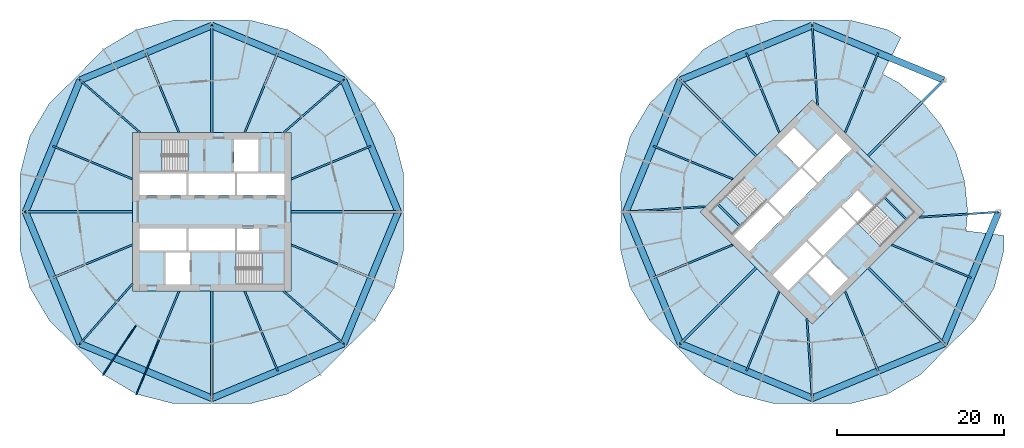
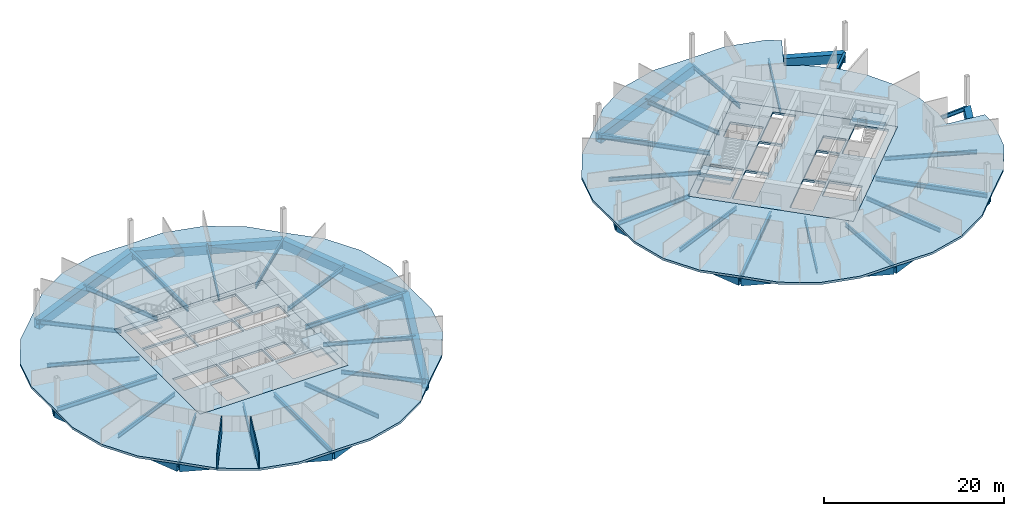
# One storey, part 3 of 10: 48 beams, 8 slabs, 2 walls, 4 elements without a shape of their own.
"""IFC4 building model written with IfcOpenShell, lengths in metres."""

from ifc_helpers import new_model, si_unit, direction, frame, frame_2d, origin, origin_2d, place, context, subcontext, project, spatial, polyline, rectangle, hollow_rectangle, i_section, outline, extrude, material, layer, layer_set, material_profile, profile_set, type_object, element, aggregate, save


model = new_model("IFC4")

# Units and contexts
model_context = context("Model", 3, precision=1e-05, world=origin(), true_north=direction((0.0, 1.0)))
body_context = subcontext(model_context, "Body", "Model", "MODEL_VIEW")
ifc_project = project(units=[si_unit("LENGTHUNIT", "METRE"), si_unit("AREAUNIT", "SQUARE_METRE"), si_unit("VOLUMEUNIT", "CUBIC_METRE"), si_unit("PLANEANGLEUNIT", "RADIAN"), si_unit("MASSUNIT", "GRAM", prefix="KILO")], contexts=[model_context])

# Site, building, storey
site_placement = place(None, origin())
site = spatial("IfcSite", under=ifc_project, at=site_placement, CompositionType="ELEMENT")
building_placement = place(site_placement, origin())
building = spatial("IfcBuilding", under=site, at=building_placement, Name="Ogive Gate Towers", CompositionType="ELEMENT")
storey_placement = place(building_placement, frame((0.0, 0.0, 126.89990234375)))
storey = spatial("IfcBuildingStorey", under=building, at=storey_placement, Name="L30", CompositionType="ELEMENT", Elevation=126.89990234375)

# Beams
ifc_material_1 = material(Name="Steel SM460", Category="steel")
ifc_material_profile_1 = material_profile(ifc_material_1, hollow_rectangle(XDim=0.800048828125, YDim=1.199951171875, WallThickness=0.050048828125, at=origin_2d()), Name="BX 1200x800x50")
ifc_profile_set_1 = profile_set([ifc_material_profile_1], Name="Steel SM460")
beam_type_1 = type_object("IfcBeamType", Name="Edge girder BX 1200x800x50", PredefinedType="BEAM", material=ifc_profile_set_1)
for number, where, z_axis, x_axis, name in (
    (1, (-51.803955078125, -15.803955078125, -0.89990234375), (0.923880978344, -0.382679941797, 0.0), (0.382679941797, 0.923880978344, 0.0), "T1/L30/SBM017"),
    (2, (-36.0, -22.35009765625, -0.89990234375), (0.923880978344, 0.382679941797, 0.0), (-0.382679941797, 0.923880978344, 0.0), "T1/L30/SBM018"),
    (3, (-20.196044921875, -15.803955078125, -0.89990234375), (0.382679941797, 0.923880978344, 0.0), (-0.923880978344, 0.382679941797, 0.0), "T1/L30/SBM019"),
    (4, (-13.64990234375, 0.0, -0.89990234375), (-0.382679941797, 0.923880978344, 0.0), (-0.923880978344, -0.382679941797, 0.0), "T1/L30/SBM020"),
    (5, (-20.196044921875, 15.803955078125, -0.89990234375), (-0.923880978344, 0.382679941797, 0.0), (-0.382679941797, -0.923880978344, 0.0), "T1/L30/SBM021"),
    (6, (-36.0, 22.35009765625, -0.89990234375), (-0.923880978344, -0.382679941797, 0.0), (0.382679941797, -0.923880978344, 0.0), "T1/L30/SBM022"),
    (7, (-51.803955078125, 15.803955078125, -0.89990234375), (-0.382679941797, -0.923880978344, 0.0), (0.923880978344, -0.382679941797, 0.0), "T1/L30/SBM023"),
    (8, (-58.35009765625, 0.0, -0.89990234375), (0.382679941797, -0.923880978344, 0.0), (0.923880978344, 0.382679941797, 0.0), "T1/L30/SBM024"),
    (9, (20.196044921875, -15.803955078125, -0.89990234375), (0.923880978344, -0.382679941797, 0.0), (0.382679941797, 0.923880978344, 0.0), "T2/L30/SBM016"),
    (10, (36.0, -22.35009765625, -0.89990234375), (0.923880978344, 0.382679941797, 0.0), (-0.382679941797, 0.923880978344, 0.0), "T2/L30/SBM017"),
    (11, (51.803955078125, -15.803955078125, -0.89990234375), (0.382679941797, 0.923880978344, 0.0), (-0.923880978344, 0.382679941797, 0.0), "T2/L30/SBM018"),
    (12, (51.803955078125, 15.803955078125, -0.89990234375), (-0.923880978344, 0.382679941797, 0.0), (-0.382679941797, -0.923880978344, 0.0), "T2/L30/SBM019"),
    (13, (36.0, 22.35009765625, -0.89990234375), (-0.923880978344, -0.382679941797, 0.0), (0.382679941797, -0.923880978344, 0.0), "T2/L30/SBM020"),
    (14, (20.196044921875, 15.803955078125, -0.89990234375), (-0.382679941797, -0.923880978344, 0.0), (0.923880978344, -0.382679941797, 0.0), "T2/L30/SBM021"),
    (15, (13.64990234375, 0.0, -0.89990234375), (0.382679941797, -0.923880978344, 0.0), (0.923880978344, 0.382679941797, 0.0), "T2/L30/SBM022"),
):
    element("IfcBeam", number, at=place(storey_placement, frame(where, z_axis=z_axis, x_axis=x_axis)), inside=storey, type_object=beam_type_1, Name=name, PredefinedType="BEAM", context=body_context, shape_type="SweptSolid", body=[
        extrude(hollow_rectangle(XDim=0.800048828125, YDim=1.199951171875, WallThickness=0.050048828125, at=origin_2d()), origin(), (0.0, 0.0, 1.0), 17.10595703125),
    ])
ifc_material_2 = material(Name="Concrete C40/50", Category="concrete")
ifc_material_profile_2 = material_profile(ifc_material_2, rectangle(XDim=0.25, YDim=0.300048828125, at=origin_2d()), Name="RC 250x300")
ifc_profile_set_2 = profile_set([ifc_material_profile_2], Name="Concrete C40/50")
beam_type_2 = type_object("IfcBeamType", Name="Landing bearer RC 250x300", PredefinedType="BEAM", material=ifc_profile_set_2)
for number, where, z_axis, x_axis, name in (
    (16, (24.650390625, 0.9541015625, 1.60009765625), (0.707106781187, -0.707106781187, 0.0), (0.707106781187, 0.707106781187, 0.0), "T2 L30 stair 1 landing bearer 1"),
    (17, (47.349609375, -0.9541015625, 1.60009765625), (-0.707106781187, 0.707106781187, 0.0), (-0.707106781187, -0.707106781187, 0.0), "T2 L30 stair 2 landing bearer 1"),
):
    element("IfcBeam", number, at=place(storey_placement, frame(where, z_axis=z_axis, x_axis=x_axis)), inside=storey, type_object=beam_type_2, Name=name, PredefinedType="BEAM", context=body_context, shape_type="SweptSolid", body=[
        extrude(rectangle(XDim=0.25, YDim=0.300048828125, at=origin_2d()), origin(), (0.0, 0.0, 1.0), 3.824951171875),
    ])
ifc_material_3 = material(Name="Steel SM355", Category="steel")
ifc_material_profile_3 = material_profile(ifc_material_3, i_section(OverallWidth=0.300048828125, OverallDepth=0.590087890625, WebThickness=0.012939453125, FlangeThickness=0.02490234375, FilletRadius=0.027099609375, at=origin_2d()), Name="HE 600 A")
ifc_profile_set_3 = profile_set([ifc_material_profile_3], Name="Steel SM355")
beam_type_3 = type_object("IfcBeamType", Name="Radial floor beam HE 600 A", PredefinedType="BEAM", material=ifc_profile_set_3)
for number, where, z_axis, x_axis, name in (
    (18, (-36.0, -9.5, -0.594970703125), (0.0, -1.0, 0.0), (1.0, 0.0, 0.0), "T1/L30/SBM003"),
    (19, (-26.5, 0.0, -0.594970703125), (1.0, 0.0, 0.0), (0.0, 1.0, 0.0), "T1/L30/SBM007"),
    (20, (-36.0, 9.5, -0.594970703125), (0.0, 1.0, 0.0), (-1.0, 0.0, 0.0), "T1/L30/SBM011"),
    (21, (-45.5, 0.0, -0.594970703125), (-1.0, 0.0, 0.0), (0.0, -1.0, 0.0), "T1/L30/SBM015"),
    (22, (29.282470703125, -6.717529296875, -0.594970703125), (-0.707106781187, -0.707106781187, 0.0), (0.707106781187, -0.707106781187, 0.0), "T2/L30/SBM001"),
    (23, (42.717529296875, -6.717529296875, -0.594970703125), (0.707106781187, -0.707106781187, 0.0), (0.707106781187, 0.707106781187, 0.0), "T2/L30/SBM005"),
    (24, (42.717529296875, 6.717529296875, -0.594970703125), (0.707106781187, 0.707106781187, 0.0), (-0.707106781187, 0.707106781187, 0.0), "T2/L30/SBM008"),
    (25, (29.282470703125, 6.717529296875, -0.594970703125), (-0.707106781187, 0.707106781187, 0.0), (-0.707106781187, -0.707106781187, 0.0), "T2/L30/SBM012"),
):
    element("IfcBeam", number, at=place(storey_placement, frame(where, z_axis=z_axis, x_axis=x_axis)), inside=storey, type_object=beam_type_3, Name=name, PredefinedType="BEAM", context=body_context, shape_type="SweptSolid", body=[
        extrude(i_section(OverallWidth=0.300048828125, OverallDepth=0.590087890625, WebThickness=0.012939453125, FlangeThickness=0.02490234375, FilletRadius=0.027099609375, at=origin_2d()), origin(), (0.0, 0.0, 1.0), 12.85009765625),
    ])
ifc_material_profile_4 = material_profile(ifc_material_3, i_section(OverallWidth=0.2099609375, OverallDepth=0.550048828125, WebThickness=0.010986328125, FlangeThickness=0.01708984375, FilletRadius=0.02392578125, at=origin_2d()), Name="IPE 550")
ifc_profile_set_4 = profile_set([ifc_material_profile_4], Name="Steel SM355")
beam_type_4 = type_object("IfcBeamType", Name="Radial floor beam IPE 550", PredefinedType="BEAM", material=ifc_profile_set_4)
beam_1_placement = place(storey_placement, frame((-45.5, -8.60009765625, -0.574951171875), z_axis=(-0.658538913457, -0.752546675937, 0.0), x_axis=(0.752546675937, -0.658538913457, 0.0)))
element("IfcBeam", 26, at=beam_1_placement, inside=storey, type_object=beam_type_4, Name="T1/L30/SBM001", PredefinedType="BEAM", context=body_context, shape_type="SweptSolid", body=[
    extrude(i_section(OverallWidth=0.2099609375, OverallDepth=0.550048828125, WebThickness=0.010986328125, FlangeThickness=0.01708984375, FilletRadius=0.02392578125, at=origin_2d()), origin(), (0.0, 0.0, 1.0), 9.57275390625),
])
for number, where, z_axis, x_axis, name in (
    (27, (-39.93505859375, -9.5, -0.574951171875), (-0.382676287498, -0.92388249198, 0.0), (0.92388249198, -0.382676287498, 0.0), "T1/L30/SBM002"),
    (28, (-32.06494140625, -9.5, -0.574951171875), (0.382676287498, -0.92388249198, 0.0), (0.92388249198, 0.382676287498, 0.0), "T1/L30/SBM004"),
):
    element("IfcBeam", number, at=place(storey_placement, frame(where, z_axis=z_axis, x_axis=x_axis)), inside=storey, type_object=beam_type_4, Name=name, PredefinedType="BEAM", context=body_context, shape_type="SweptSolid", body=[
        extrude(i_section(OverallWidth=0.2099609375, OverallDepth=0.550048828125, WebThickness=0.010986328125, FlangeThickness=0.01708984375, FilletRadius=0.02392578125, at=origin_2d()), origin(), (0.0, 0.0, 1.0), 10.365966796875),
    ])
beam_2_placement = place(storey_placement, frame((-27.39990234375, -9.5, -0.574951171875), z_axis=(0.752546675937, -0.658538913457, 0.0), x_axis=(0.658538913457, 0.752546675937, 0.0)))
element("IfcBeam", 29, at=beam_2_placement, inside=storey, type_object=beam_type_4, Name="T1/L30/SBM005", PredefinedType="BEAM", context=body_context, shape_type="SweptSolid", body=[
    extrude(i_section(OverallWidth=0.2099609375, OverallDepth=0.550048828125, WebThickness=0.010986328125, FlangeThickness=0.01708984375, FilletRadius=0.02392578125, at=origin_2d()), origin(), (0.0, 0.0, 1.0), 9.57275390625),
])
for number, where, z_axis, x_axis, name in (
    (30, (-26.5, -3.93505859375, -0.574951171875), (0.92388249198, -0.382676287498, 0.0), (0.382676287498, 0.92388249198, 0.0), "T1/L30/SBM006"),
    (31, (-26.5, 3.93505859375, -0.574951171875), (0.92388249198, 0.382676287498, 0.0), (-0.382676287498, 0.92388249198, 0.0), "T1/L30/SBM008"),
):
    element("IfcBeam", number, at=place(storey_placement, frame(where, z_axis=z_axis, x_axis=x_axis)), inside=storey, type_object=beam_type_4, Name=name, PredefinedType="BEAM", context=body_context, shape_type="SweptSolid", body=[
        extrude(i_section(OverallWidth=0.2099609375, OverallDepth=0.550048828125, WebThickness=0.010986328125, FlangeThickness=0.01708984375, FilletRadius=0.02392578125, at=origin_2d()), origin(), (0.0, 0.0, 1.0), 10.365966796875),
    ])
beam_3_placement = place(storey_placement, frame((-27.39990234375, 9.5, -0.574951171875), z_axis=(0.752546675937, 0.658538913457, 0.0), x_axis=(-0.658538913457, 0.752546675937, 0.0)))
element("IfcBeam", 32, at=beam_3_placement, inside=storey, type_object=beam_type_4, Name="T1/L30/SBM009", PredefinedType="BEAM", context=body_context, shape_type="SweptSolid", body=[
    extrude(i_section(OverallWidth=0.2099609375, OverallDepth=0.550048828125, WebThickness=0.010986328125, FlangeThickness=0.01708984375, FilletRadius=0.02392578125, at=origin_2d()), origin(), (0.0, 0.0, 1.0), 9.57275390625),
])
for number, where, z_axis, x_axis, name in (
    (33, (-32.06494140625, 9.5, -0.574951171875), (0.382676287498, 0.92388249198, 0.0), (-0.92388249198, 0.382676287498, 0.0), "T1/L30/SBM010"),
    (34, (-39.93505859375, 9.5, -0.574951171875), (-0.382676287498, 0.92388249198, 0.0), (-0.92388249198, -0.382676287498, 0.0), "T1/L30/SBM012"),
):
    element("IfcBeam", number, at=place(storey_placement, frame(where, z_axis=z_axis, x_axis=x_axis)), inside=storey, type_object=beam_type_4, Name=name, PredefinedType="BEAM", context=body_context, shape_type="SweptSolid", body=[
        extrude(i_section(OverallWidth=0.2099609375, OverallDepth=0.550048828125, WebThickness=0.010986328125, FlangeThickness=0.01708984375, FilletRadius=0.02392578125, at=origin_2d()), origin(), (0.0, 0.0, 1.0), 10.365966796875),
    ])
beam_4_placement = place(storey_placement, frame((-44.60009765625, 9.5, -0.574951171875), z_axis=(-0.752546675937, 0.658538913457, 0.0), x_axis=(-0.658538913457, -0.752546675937, 0.0)))
element("IfcBeam", 35, at=beam_4_placement, inside=storey, type_object=beam_type_4, Name="T1/L30/SBM013", PredefinedType="BEAM", context=body_context, shape_type="SweptSolid", body=[
    extrude(i_section(OverallWidth=0.2099609375, OverallDepth=0.550048828125, WebThickness=0.010986328125, FlangeThickness=0.01708984375, FilletRadius=0.02392578125, at=origin_2d()), origin(), (0.0, 0.0, 1.0), 9.57275390625),
])
for number, where, z_axis, x_axis, name in (
    (36, (-45.5, 3.93505859375, -0.574951171875), (-0.92388249198, 0.382676287498, 0.0), (-0.382676287498, -0.92388249198, 0.0), "T1/L30/SBM014"),
    (37, (-45.5, -3.93505859375, -0.574951171875), (-0.92388249198, -0.382676287498, 0.0), (0.382676287498, -0.92388249198, 0.0), "T1/L30/SBM016"),
    (38, (32.06494140625, -9.5, -0.574951171875), (-0.382676287498, -0.92388249198, 0.0), (0.92388249198, -0.382676287498, 0.0), "T2/L30/SBM002"),
):
    element("IfcBeam", number, at=place(storey_placement, frame(where, z_axis=z_axis, x_axis=x_axis)), inside=storey, type_object=beam_type_4, Name=name, PredefinedType="BEAM", context=body_context, shape_type="SweptSolid", body=[
        extrude(i_section(OverallWidth=0.2099609375, OverallDepth=0.550048828125, WebThickness=0.010986328125, FlangeThickness=0.01708984375, FilletRadius=0.02392578125, at=origin_2d()), origin(), (0.0, 0.0, 1.0), 10.365966796875),
    ])
beam_5_placement = place(storey_placement, frame((35.363525390625, -12.798583984375, -0.574951171875), z_axis=(0.066488541289, -0.997787188672, 0.0), x_axis=(0.997787188672, 0.066488541289, 0.0)))
element("IfcBeam", 39, at=beam_5_placement, inside=storey, type_object=beam_type_4, Name="T2/L30/SBM003", PredefinedType="BEAM", context=body_context, shape_type="SweptSolid", body=[
    extrude(i_section(OverallWidth=0.2099609375, OverallDepth=0.550048828125, WebThickness=0.010986328125, FlangeThickness=0.01708984375, FilletRadius=0.02392578125, at=origin_2d()), origin(), (0.0, 0.0, 1.0), 9.57275390625),
])
for number, where, z_axis, x_axis, name in (
    (40, (39.93505859375, -9.5, -0.574951171875), (0.382676287498, -0.92388249198, 0.0), (0.92388249198, 0.382676287498, 0.0), "T2/L30/SBM004"),
    (41, (45.5, -3.93505859375, -0.574951171875), (0.92388249198, -0.382676287498, 0.0), (0.382676287498, 0.92388249198, 0.0), "T2/L30/SBM006"),
):
    element("IfcBeam", number, at=place(storey_placement, frame(where, z_axis=z_axis, x_axis=x_axis)), inside=storey, type_object=beam_type_4, Name=name, PredefinedType="BEAM", context=body_context, shape_type="SweptSolid", body=[
        extrude(i_section(OverallWidth=0.2099609375, OverallDepth=0.550048828125, WebThickness=0.010986328125, FlangeThickness=0.01708984375, FilletRadius=0.02392578125, at=origin_2d()), origin(), (0.0, 0.0, 1.0), 10.365966796875),
    ])
beam_6_placement = place(storey_placement, frame((48.798583984375, -0.636474609375, -0.574951171875), z_axis=(0.997787188672, 0.066488541289, 0.0), x_axis=(-0.066488541289, 0.997787188672, 0.0)))
element("IfcBeam", 42, at=beam_6_placement, inside=storey, type_object=beam_type_4, Name="T2/L30/SBM007", PredefinedType="BEAM", context=body_context, shape_type="SweptSolid", body=[
    extrude(i_section(OverallWidth=0.2099609375, OverallDepth=0.550048828125, WebThickness=0.010986328125, FlangeThickness=0.01708984375, FilletRadius=0.02392578125, at=origin_2d()), origin(), (0.0, 0.0, 1.0), 9.57275390625),
])
beam_7_placement = place(storey_placement, frame((39.93505859375, 9.5, -0.574951171875), z_axis=(0.382676287498, 0.92388249198, 0.0), x_axis=(-0.92388249198, 0.382676287498, 0.0)))
element("IfcBeam", 43, at=beam_7_placement, inside=storey, type_object=beam_type_4, Name="T2/L30/SBM009", PredefinedType="BEAM", context=body_context, shape_type="SweptSolid", body=[
    extrude(i_section(OverallWidth=0.2099609375, OverallDepth=0.550048828125, WebThickness=0.010986328125, FlangeThickness=0.01708984375, FilletRadius=0.02392578125, at=origin_2d()), origin(), (0.0, 0.0, 1.0), 10.365966796875),
])
beam_8_placement = place(storey_placement, frame((36.636474609375, 12.798583984375, -0.574951171875), z_axis=(-0.066488541289, 0.997787188672, 0.0), x_axis=(-0.997787188672, -0.066488541289, 0.0)))
element("IfcBeam", 44, at=beam_8_placement, inside=storey, type_object=beam_type_4, Name="T2/L30/SBM010", PredefinedType="BEAM", context=body_context, shape_type="SweptSolid", body=[
    extrude(i_section(OverallWidth=0.2099609375, OverallDepth=0.550048828125, WebThickness=0.010986328125, FlangeThickness=0.01708984375, FilletRadius=0.02392578125, at=origin_2d()), origin(), (0.0, 0.0, 1.0), 9.57275390625),
])
for number, where, z_axis, x_axis, name in (
    (45, (32.06494140625, 9.5, -0.574951171875), (-0.382676287498, 0.92388249198, 0.0), (-0.92388249198, -0.382676287498, 0.0), "T2/L30/SBM011"),
    (46, (26.5, 3.93505859375, -0.574951171875), (-0.92388249198, 0.382676287498, 0.0), (-0.382676287498, -0.92388249198, 0.0), "T2/L30/SBM013"),
):
    element("IfcBeam", number, at=place(storey_placement, frame(where, z_axis=z_axis, x_axis=x_axis)), inside=storey, type_object=beam_type_4, Name=name, PredefinedType="BEAM", context=body_context, shape_type="SweptSolid", body=[
        extrude(i_section(OverallWidth=0.2099609375, OverallDepth=0.550048828125, WebThickness=0.010986328125, FlangeThickness=0.01708984375, FilletRadius=0.02392578125, at=origin_2d()), origin(), (0.0, 0.0, 1.0), 10.365966796875),
    ])
beam_9_placement = place(storey_placement, frame((23.201416015625, 0.636474609375, -0.574951171875), z_axis=(-0.997787188672, -0.066488541289, 0.0), x_axis=(0.066488541289, -0.997787188672, 0.0)))
element("IfcBeam", 47, at=beam_9_placement, inside=storey, type_object=beam_type_4, Name="T2/L30/SBM014", PredefinedType="BEAM", context=body_context, shape_type="SweptSolid", body=[
    extrude(i_section(OverallWidth=0.2099609375, OverallDepth=0.550048828125, WebThickness=0.010986328125, FlangeThickness=0.01708984375, FilletRadius=0.02392578125, at=origin_2d()), origin(), (0.0, 0.0, 1.0), 9.57275390625),
])
beam_10_placement = place(storey_placement, frame((26.5, -3.93505859375, -0.574951171875), z_axis=(-0.92388249198, -0.382676287498, 0.0), x_axis=(0.382676287498, -0.92388249198, 0.0)))
element("IfcBeam", 48, at=beam_10_placement, inside=storey, type_object=beam_type_4, Name="T2/L30/SBM015", PredefinedType="BEAM", context=body_context, shape_type="SweptSolid", body=[
    extrude(i_section(OverallWidth=0.2099609375, OverallDepth=0.550048828125, WebThickness=0.010986328125, FlangeThickness=0.01708984375, FilletRadius=0.02392578125, at=origin_2d()), origin(), (0.0, 0.0, 1.0), 10.365966796875),
])

# Slabs
ifc_layer_1 = layer(ifc_material_2, 0.300048828125)
ifc_layer_set_1 = layer_set([ifc_layer_1], Name="Core slab C40/50 300 mm")
slab_type_1 = type_object("IfcSlabType", Name="Core slab C40/50 300 mm", PredefinedType="FLOOR", material=ifc_layer_set_1)
slab_1_placement = place(storey_placement, frame((0.0, 0.0, -0.2998046875)))
element("IfcSlab", 49, at=slab_1_placement, inside=storey, type_object=slab_type_1, Name="T1 L30 core slab", PredefinedType="FLOOR", context=body_context, shape_type="SweptSolid", body=[
    extrude(outline(polyline([(-26.5, 9.5), (-26.5, -9.5), (-45.5, -9.5), (-45.5, 9.5), (-26.5, 9.5)]), holes=[polyline([(-39.02490234375, 4.625), (-44.699951171875, 4.625), (-44.699951171875, 2.0), (-39.02490234375, 2.0), (-39.02490234375, 4.625)]), polyline([(-33.22509765625, 2.0), (-33.22509765625, 4.625), (-38.77490234375, 4.625), (-38.77490234375, 2.0), (-33.22509765625, 2.0)]), polyline([(-32.97509765625, 2.0), (-27.300048828125, 2.0), (-27.300048828125, 4.625), (-32.97509765625, 4.625), (-32.97509765625, 2.0)]), polyline([(-44.699951171875, -2.0), (-44.699951171875, -4.625), (-39.02490234375, -4.625), (-39.02490234375, -2.0), (-44.699951171875, -2.0)]), polyline([(-33.22509765625, -2.0), (-38.77490234375, -2.0), (-38.77490234375, -4.625), (-33.22509765625, -4.625), (-33.22509765625, -2.0)]), polyline([(-30.324951171875, -4.625), (-30.324951171875, -2.0), (-32.97509765625, -2.0), (-32.97509765625, -4.625), (-30.324951171875, -4.625)]), polyline([(-33.375, 4.875), (-30.425048828125, 4.875), (-30.425048828125, 8.699951171875), (-33.375, 8.699951171875), (-33.375, 4.875)]), polyline([(-41.574951171875, -4.875), (-41.574951171875, -8.699951171875), (-38.625, -8.699951171875), (-38.625, -4.875), (-41.574951171875, -4.875)]), polyline([(-44.699951171875, 4.875), (-38.885009765625, 4.875), (-38.885009765625, 8.699951171875), (-44.699951171875, 8.699951171875), (-44.699951171875, 4.875)]), polyline([(-27.300048828125, -8.699951171875), (-27.300048828125, -4.875), (-33.114990234375, -4.875), (-33.114990234375, -8.699951171875), (-27.300048828125, -8.699951171875)])]), origin(), (0.0, 0.0, 1.0), 0.2998046875),
])
slab_2_placement = place(storey_placement, frame((0.0, 0.0, -0.2998046875)))
element("IfcSlab", 50, at=slab_2_placement, inside=storey, type_object=slab_type_1, Name="T2 L30 core slab", PredefinedType="FLOOR", context=body_context, shape_type="SweptSolid", body=[
    extrude(outline(polyline([(36.0, 13.43505859375), (49.43505859375, 0.0), (36.0, -13.43505859375), (22.56494140625, 0.0), (36.0, 13.43505859375)]), holes=[polyline([(30.590576171875, 1.13134765625), (26.577880859375, -2.881591796875), (28.43408203125, -4.737548828125), (32.44677734375, -0.724853515625), (30.590576171875, 1.13134765625)]), polyline([(36.548095703125, 3.37646484375), (34.69189453125, 5.232666015625), (30.767333984375, 1.30810546875), (32.62353515625, -0.548095703125), (36.548095703125, 3.37646484375)]), polyline([(36.724853515625, 3.55322265625), (40.737548828125, 7.56591796875), (38.881591796875, 9.422119140625), (34.86865234375, 5.409423828125), (36.724853515625, 3.55322265625)]), polyline([(31.262451171875, -7.56591796875), (33.118408203125, -9.422119140625), (37.13134765625, -5.409423828125), (35.275146484375, -3.55322265625), (31.262451171875, -7.56591796875)]), polyline([(39.37646484375, 0.548095703125), (35.451904296875, -3.37646484375), (37.30810546875, -5.232666015625), (41.232666015625, -1.30810546875), (39.37646484375, 0.548095703125)]), polyline([(43.283203125, 0.742431640625), (41.427001953125, 2.5986328125), (39.55322265625, 0.724853515625), (41.409423828125, -1.13134765625), (43.283203125, 0.742431640625)]), polyline([(34.408935546875, 5.30322265625), (36.4951171875, 7.389404296875), (33.790283203125, 10.093994140625), (31.704345703125, 8.008056640625), (34.408935546875, 5.30322265625)]), polyline([(35.5048828125, -7.389404296875), (38.209716796875, -10.093994140625), (40.295654296875, -8.008056640625), (37.591064453125, -5.30322265625), (35.5048828125, -7.389404296875)]), polyline([(26.40087890625, -2.70458984375), (30.512939453125, 1.406982421875), (27.80810546875, 4.11181640625), (23.6962890625, 0.0), (26.40087890625, -2.70458984375)]), polyline([(48.3037109375, 0.0), (45.59912109375, 2.70458984375), (41.487060546875, -1.406982421875), (44.19189453125, -4.11181640625), (48.3037109375, 0.0)])]), origin(), (0.0, 0.0, 1.0), 0.2998046875),
])
ifc_material_4 = material(Name="Concrete C35/45", Category="concrete")
ifc_layer_2 = layer(ifc_material_4, 0.300048828125)
ifc_layer_set_2 = layer_set([ifc_layer_2], Name="Floor slab 300")
slab_type_2 = type_object("IfcSlabType", Name="Floor slab 300", PredefinedType="FLOOR", material=ifc_layer_set_2)
slab_3_placement = place(storey_placement, frame((0.0, 0.0, -0.2998046875)))
element("IfcSlab", 51, at=slab_3_placement, inside=storey, type_object=slab_type_2, Name="T1/L30/SSL001", PredefinedType="FLOOR", context=body_context, shape_type="SweptSolid", body=[
    extrude(outline(polyline([(-13.00048828125, -4.574951171875), (-13.050048828125, 0.0), (-13.00048828125, 4.574951171875), (-14.150146484375, 9.050537109375), (-16.501953125, 13.028076171875), (-19.77197265625, 16.22802734375), (-22.971923828125, 19.498046875), (-26.949462890625, 21.849853515625), (-31.425048828125, 22.99951171875), (-36.0, 22.949951171875), (-40.574951171875, 22.99951171875), (-45.050537109375, 21.849853515625), (-49.028076171875, 19.498046875), (-52.22802734375, 16.22802734375), (-55.498046875, 13.028076171875), (-57.849853515625, 9.050537109375), (-58.99951171875, 4.574951171875), (-58.949951171875, 0.0), (-58.99951171875, -4.574951171875), (-57.849853515625, -9.050537109375), (-55.498046875, -13.028076171875), (-52.22802734375, -16.22802734375), (-49.028076171875, -19.498046875), (-45.050537109375, -21.849853515625), (-40.574951171875, -22.99951171875), (-36.0, -22.949951171875), (-31.425048828125, -22.99951171875), (-26.949462890625, -21.849853515625), (-22.971923828125, -19.498046875), (-19.77197265625, -16.22802734375), (-16.501953125, -13.028076171875), (-14.150146484375, -9.050537109375), (-13.00048828125, -4.574951171875)]), holes=[polyline([(-26.5, -9.5), (-45.5, -9.5), (-45.5, 9.5), (-26.5, 9.5), (-26.5, -9.5)])]), origin(), (0.0, 0.0, 1.0), 0.2998046875),
])
slab_4_placement = place(storey_placement, frame((0.0, 0.0, -0.2998046875)))
element("IfcSlab", 52, at=slab_4_placement, inside=storey, type_object=slab_type_2, Name="T2/L30/SSL001", PredefinedType="FLOOR", context=body_context, shape_type="SweptSolid", body=[
    extrude(outline(polyline([(57.849853515625, -9.050537109375), (58.99951171875, -4.574951171875), (58.98046875, -2.821533203125), (54.42724609375, -2.262451171875), (54.64990234375, 0.0), (54.291748046875, 3.638427734375), (53.23046875, 7.136962890625), (51.5068359375, 10.361328125), (49.1875, 13.1875), (46.361328125, 15.5068359375), (44.427734375, 16.54052734375), (46.65087890625, 20.903564453125), (45.050537109375, 21.849853515625), (40.574951171875, 22.99951171875), (36.0, 22.949951171875), (31.425048828125, 22.99951171875), (26.949462890625, 21.849853515625), (22.971923828125, 19.498046875), (19.77197265625, 16.22802734375), (16.501953125, 13.028076171875), (14.150146484375, 9.050537109375), (13.00048828125, 4.574951171875), (13.050048828125, 0.0), (13.00048828125, -4.574951171875), (14.150146484375, -9.050537109375), (16.501953125, -13.028076171875), (19.77197265625, -16.22802734375), (22.971923828125, -19.498046875), (26.949462890625, -21.849853515625), (31.425048828125, -22.99951171875), (36.0, -22.949951171875), (40.574951171875, -22.99951171875), (45.050537109375, -21.849853515625), (49.028076171875, -19.498046875), (52.22802734375, -16.22802734375), (55.498046875, -13.028076171875), (57.849853515625, -9.050537109375)]), holes=[polyline([(49.43505859375, 0.0), (36.0, -13.43505859375), (22.56494140625, 0.0), (36.0, 13.43505859375), (49.43505859375, 0.0)])]), origin(), (0.0, 0.0, 1.0), 0.2998046875),
])

# Stair, slab
stair_type = type_object("IfcStairType", Name="Escape stair 1840 wide", PredefinedType="HALF_TURN_STAIR", material=ifc_material_2)
stair_1_placement = place(storey_placement, origin())
stair_1 = element("IfcStair", 53, at=stair_1_placement, inside=storey, type_object=stair_type, Name="L30 Escape stair 1", PredefinedType="HALF_TURN_STAIR")
ifc_layer_3 = layer(ifc_material_2, 0.199951171875)
ifc_layer_set_3 = layer_set([ifc_layer_3], Name="Stair landing 200 mm")
slab_type_3 = type_object("IfcSlabType", Name="Stair landing 200 mm", PredefinedType="LANDING", material=ifc_layer_set_3)
slab_5_placement = place(storey_placement, frame((0.0, 0.0, 1.75)))
slab_5 = element("IfcSlab", 54, at=slab_5_placement, type_object=slab_type_3, Name="ST1 landing 1", PredefinedType="LANDING", context=body_context, shape_type="SweptSolid", body=[
    extrude(outline(polyline([(-42.00146484375, 8.699951171875), (-44.699951171875, 8.699951171875), (-44.699951171875, 4.875), (-42.00146484375, 4.875), (-42.00146484375, 8.699951171875)])), origin(), (0.0, 0.0, 1.0), 0.2001953125),
])
aggregate(stair_1, [slab_5])

stair_2_placement = place(storey_placement, origin())
stair_2 = element("IfcStair", 55, at=stair_2_placement, inside=storey, type_object=stair_type, Name="L30 Escape stair 2", PredefinedType="HALF_TURN_STAIR")
slab_6_placement = place(storey_placement, frame((0.0, 0.0, 1.75)))
slab_6 = element("IfcSlab", 56, at=slab_6_placement, type_object=slab_type_3, Name="ST2 landing 1", PredefinedType="LANDING", context=body_context, shape_type="SweptSolid", body=[
    extrude(outline(polyline([(-29.99853515625, -8.699951171875), (-27.300048828125, -8.699951171875), (-27.300048828125, -4.875), (-29.99853515625, -4.875), (-29.99853515625, -8.699951171875)])), origin(), (0.0, 0.0, 1.0), 0.2001953125),
])
aggregate(stair_2, [slab_6])

stair_3_placement = place(storey_placement, origin())
stair_3 = element("IfcStair", 57, at=stair_3_placement, inside=storey, type_object=stair_type, Name="L30 Escape stair 1", PredefinedType="HALF_TURN_STAIR")
slab_7_placement = place(storey_placement, frame((0.0, 0.0, 1.75)))
slab_7 = element("IfcSlab", 58, at=slab_7_placement, type_object=slab_type_3, Name="ST1 landing 1", PredefinedType="LANDING", context=body_context, shape_type="SweptSolid", body=[
    extrude(outline(polyline([(25.6044921875, 1.908203125), (23.6962890625, 0.0), (26.401123046875, -2.70458984375), (28.309326171875, -0.79638671875), (25.6044921875, 1.908203125)])), origin(), (0.0, 0.0, 1.0), 0.2001953125),
])
aggregate(stair_3, [slab_7])

stair_4_placement = place(storey_placement, origin())
stair_4 = element("IfcStair", 59, at=stair_4_placement, inside=storey, type_object=stair_type, Name="L30 Escape stair 2", PredefinedType="HALF_TURN_STAIR")
slab_8_placement = place(storey_placement, frame((0.0, 0.0, 1.75)))
slab_8 = element("IfcSlab", 60, at=slab_8_placement, type_object=slab_type_3, Name="ST2 landing 1", PredefinedType="LANDING", context=body_context, shape_type="SweptSolid", body=[
    extrude(outline(polyline([(46.3955078125, -1.908203125), (48.3037109375, 0.0), (45.598876953125, 2.70458984375), (43.690673828125, 0.79638671875), (46.3955078125, -1.908203125)])), origin(), (0.0, 0.0, 1.0), 0.2001953125),
])
aggregate(stair_4, [slab_8])

# Walls
ifc_material_5 = material(Name="Gypsum board partition")
ifc_layer_4 = layer(ifc_material_5, 0.125)
ifc_layer_set_4 = layer_set([ifc_layer_4], Name="Partition 125")
wall_type = type_object("IfcWallType", Name="Partition 125", PredefinedType="PARTITIONING", material=ifc_layer_set_4)
wall_1_placement = place(storey_placement, frame((-49.105224609375, -19.599609375, 0.0), z_axis=(0.0, 0.0, 1.0), x_axis=(0.555832041458, 0.831294617864, 0.0)))
element("IfcWall", 61, at=wall_1_placement, inside=storey, type_object=wall_type, Name="Partition T1-L30-009", PredefinedType="PARTITIONING", context=body_context, shape_type="SweptSolid", body=[
    extrude(rectangle(XDim=7.21435546875, YDim=0.125, at=frame_2d((3.607177734375, 0.0))), origin(), (0.0, 0.0, 1.0), 2.10009765625),
])
wall_2_placement = place(storey_placement, frame((-45.081787109375, -21.92578125, 0.0), z_axis=(0.0, 0.0, 1.0), x_axis=(0.382660597828, 0.923888990556, 0.0)))
element("IfcWall", 62, at=wall_2_placement, inside=storey, type_object=wall_type, Name="Partition T1-L30-010", PredefinedType="PARTITIONING", context=body_context, shape_type="SweptSolid", body=[
    extrude(rectangle(XDim=7.168701171875, YDim=0.125, at=frame_2d((3.58447265625, 0.0))), origin(), (0.0, 0.0, 1.0), 2.10009765625),
])

save(model, "model.ifc")
